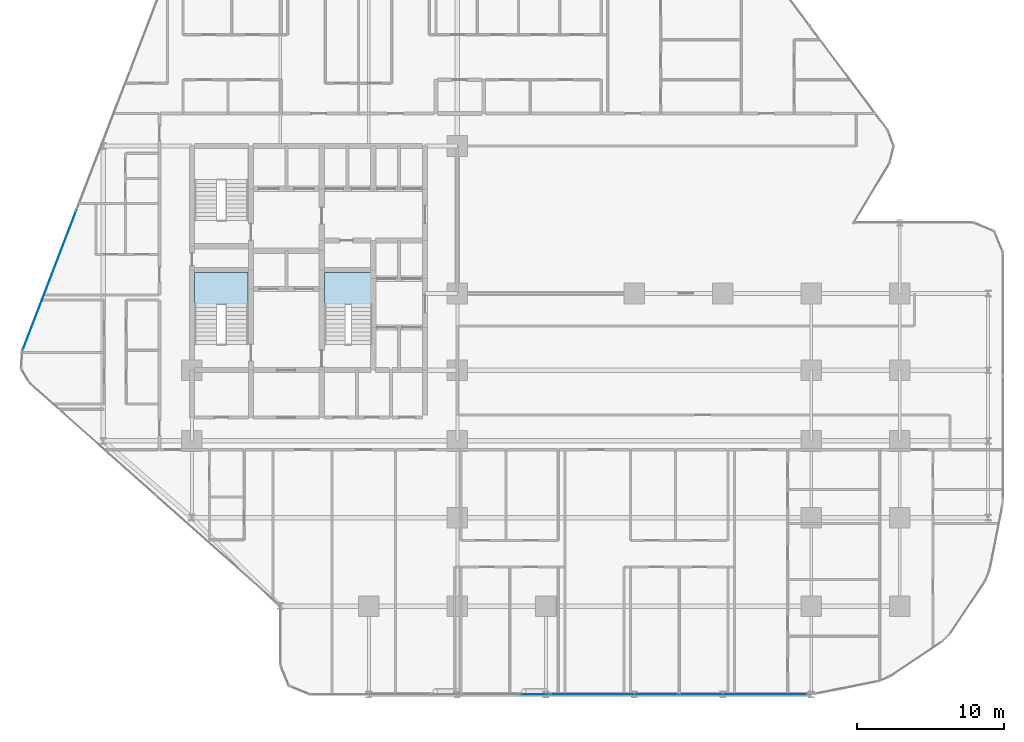
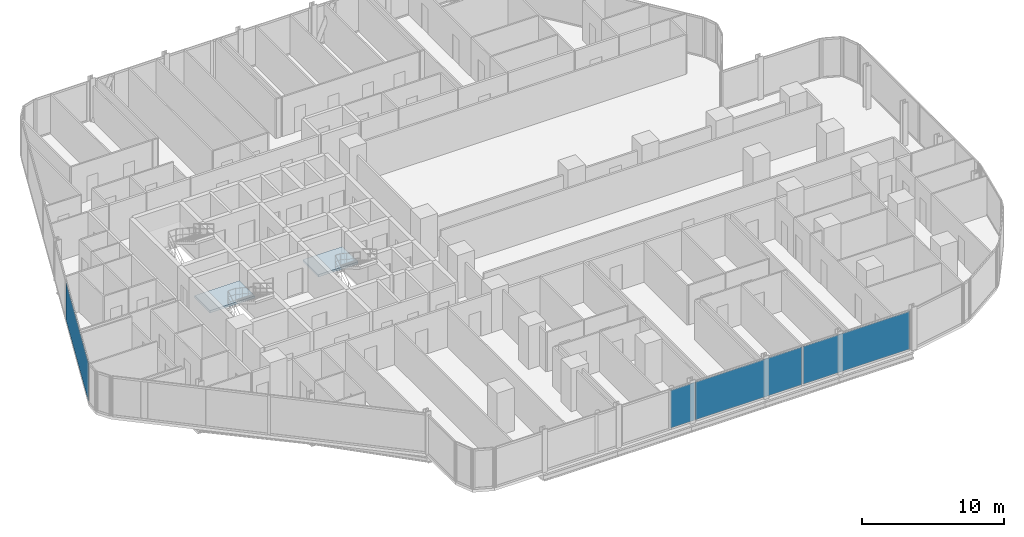
# One storey, part 21 of 33: 4 plates, 2 slabs, 5 elements without a shape of their own.
"""IFC4 building model written with IfcOpenShell, lengths in metres."""

from ifc_helpers import new_model, si_unit, direction, frame, origin, origin_2d, place, context, subcontext, project, spatial, polyline, rectangle, outline, extrude, material, layer, layer_set, type_object, element, aggregate, save


model = new_model("IFC4")

# Units and contexts
model_context = context("Model", 3, precision=1e-05, world=origin(), true_north=direction((0.0, 1.0)))
body_context = subcontext(model_context, "Body", "Model", "MODEL_VIEW")
ifc_project = project(units=[si_unit("LENGTHUNIT", "METRE"), si_unit("AREAUNIT", "SQUARE_METRE"), si_unit("VOLUMEUNIT", "CUBIC_METRE"), si_unit("PLANEANGLEUNIT", "RADIAN"), si_unit("MASSUNIT", "GRAM", prefix="KILO")], contexts=[model_context])

# Site, building, storey
site_placement = place(None, origin())
site = spatial("IfcSite", under=ifc_project, at=site_placement, CompositionType="ELEMENT")
building_placement = place(site_placement, origin())
building = spatial("IfcBuilding", under=site, at=building_placement, Name="Keshet Zoharim Tower", CompositionType="ELEMENT")
storey_placement = place(building_placement, frame((0.0, 0.0, 49.89990234375)))
storey = spatial("IfcBuildingStorey", under=building, at=storey_placement, Name="L11", CompositionType="ELEMENT", Elevation=49.89990234375)

# Curtain wall, plate
ifc_material_1 = material(Name="Aluminium 6063-T6", Category="aluminium")
ifc_layer_1 = layer(ifc_material_1, 0.179931640625)
ifc_layer_set_1 = layer_set([ifc_layer_1], Name="Aluminium 6063-T6")
curtain_wall_type = type_object("IfcCurtainWallType", Name="CW-SYS-01", PredefinedType="NOTDEFINED", material=ifc_layer_set_1)
curtain_wall_1_placement = place(storey_placement, origin())
curtain_wall_1 = element("IfcCurtainWall", 1, at=curtain_wall_1_placement, inside=storey, type_object=curtain_wall_type, Name="L11 Unitised Curtain Wall 04", PredefinedType="NOTDEFINED")
ifc_material_2 = material(Name="Insulated Low-E Clear Glass", Category="glass")
ifc_layer_2 = layer(ifc_material_2, 0.035888671875)
ifc_layer_set_2 = layer_set([ifc_layer_2], Name="Insulated Low-E Clear Glass")
plate_type_1 = type_object("IfcPlateType", Name="CWP-01", PredefinedType="CURTAIN_PANEL", material=ifc_layer_set_2)
plate_1_placement = place(storey_placement, frame((5.33837890625, 28.7802734375, 0.070068359375), z_axis=(0.0, 0.0, 1.0), x_axis=(0.358990003907, 0.933341404361, 0.0)))
plate_1 = element("IfcPlate", 2, at=plate_1_placement, type_object=plate_type_1, Name="CW-01 panel 1.1", PredefinedType="CURTAIN_PANEL", context=body_context, shape_type="SweptSolid", body=[
    extrude(rectangle(XDim=10.1181640625, YDim=0.035888671875, at=origin_2d()), origin(), (0.0, 0.0, 1.0), 3.2451171875),
])
aggregate(curtain_wall_1, [plate_1])

# Curtain wall, plates
curtain_wall_2_placement = place(storey_placement, origin())
curtain_wall_2 = element("IfcCurtainWall", 3, at=curtain_wall_2_placement, inside=storey, type_object=curtain_wall_type, Name="L11 Unitised Curtain Wall 26", PredefinedType="NOTDEFINED")
plate_2_placement = place(storey_placement, frame((52.400390625, 0.699951171875, 0.070068359375), z_axis=(0.0, 0.0, 1.0), x_axis=(-1.0, 0.0, 0.0)))
plate_2 = element("IfcPlate", 4, at=plate_2_placement, type_object=plate_type_1, Name="CW-01 panel 1.1", PredefinedType="CURTAIN_PANEL", context=body_context, shape_type="SweptSolid", body=[
    extrude(rectangle(XDim=8.665283203125, YDim=0.035888671875, at=origin_2d()), origin(), (0.0, 0.0, 1.0), 3.2451171875),
])
plate_3_placement = place(storey_placement, frame((43.665283203125, 0.699951171875, 0.070068359375), z_axis=(0.0, 0.0, 1.0), x_axis=(-1.0, 0.0, 0.0)))
plate_3 = element("IfcPlate", 5, at=plate_3_placement, type_object=plate_type_1, Name="CW-01 panel 2.1", PredefinedType="CURTAIN_PANEL", context=body_context, shape_type="SweptSolid", body=[
    extrude(rectangle(XDim=8.665283203125, YDim=0.035888671875, at=origin_2d()), origin(), (0.0, 0.0, 1.0), 3.2451171875),
])
aggregate(curtain_wall_2, [plate_2, plate_3])

# Curtain wall, plate
curtain_wall_3_placement = place(storey_placement, origin())
curtain_wall_3 = element("IfcCurtainWall", 6, at=curtain_wall_3_placement, inside=storey, type_object=curtain_wall_type, Name="L11 Unitised Curtain Wall 26 Part 2", PredefinedType="NOTDEFINED")
ifc_material_3 = material(Name="Insulated Aluminium Spandrel Panel", Category="aluminium")
ifc_layer_3 = layer(ifc_material_3, 0.035888671875)
ifc_layer_set_3 = layer_set([ifc_layer_3], Name="Insulated Aluminium Spandrel Panel")
plate_type_2 = type_object("IfcPlateType", Name="CWP-04", PredefinedType="CURTAIN_PANEL", material=ifc_layer_set_3)
plate_4_placement = place(storey_placement, frame((38.284912109375, 0.699951171875, 0.070068359375), z_axis=(0.0, 0.0, 1.0), x_axis=(-1.0, 0.0, 0.0)))
plate_4 = element("IfcPlate", 7, at=plate_4_placement, type_object=plate_type_2, Name="CW-01 spandrel panel 1.1", PredefinedType="CURTAIN_PANEL", context=body_context, shape_type="SweptSolid", body=[
    extrude(rectangle(XDim=1.955078125, YDim=0.035888671875, at=origin_2d()), origin(), (0.0, 0.0, 1.0), 3.2451171875),
])
aggregate(curtain_wall_3, [plate_4])

# Stair, slab
ifc_material_4 = material(Name="Concrete C50/60", Category="concrete")
stair_type = type_object("IfcStairType", Name="STR-EXIT-135", PredefinedType="HALF_TURN_STAIR", material=ifc_material_4)
stair_1_placement = place(storey_placement, origin())
stair_1 = element("IfcStair", 8, at=stair_1_placement, inside=storey, type_object=stair_type, Name="L11 Enclosed Exit Stair ST-01", PredefinedType="HALF_TURN_STAIR")
ifc_layer_4 = layer(ifc_material_4, 0.199951171875)
ifc_layer_set_4 = layer_set([ifc_layer_4], Name="Concrete C50/60")
slab_type = type_object("IfcSlabType", Name="SLB-LND-200", PredefinedType="LANDING", material=ifc_layer_set_4)
slab_1_placement = place(storey_placement, frame((0.0, 0.0, 1.650146484375)))
slab_1 = element("IfcSlab", 9, at=slab_1_placement, type_object=slab_type, Name="ST-01 landing 1", PredefinedType="LANDING", context=body_context, shape_type="SweptSolid", body=[
    extrude(outline(polyline([(15.179931640625, 27.159912109375), (18.820068359375, 27.159912109375), (18.820068359375, 29.320068359375), (15.179931640625, 29.320068359375), (15.179931640625, 27.159912109375)])), origin(), (0.0, 0.0, 1.0), 0.199951171875),
])
aggregate(stair_1, [slab_1])

stair_2_placement = place(storey_placement, origin())
stair_2 = element("IfcStair", 10, at=stair_2_placement, inside=storey, type_object=stair_type, Name="L11 Enclosed Exit Stair ST-03", PredefinedType="HALF_TURN_STAIR")
slab_2_placement = place(storey_placement, frame((0.0, 0.0, 1.650146484375)))
slab_2 = element("IfcSlab", 11, at=slab_2_placement, type_object=slab_type, Name="ST-03 landing 1", PredefinedType="LANDING", context=body_context, shape_type="SweptSolid", body=[
    extrude(outline(polyline([(23.97998046875, 27.159912109375), (27.219970703125, 27.159912109375), (27.219970703125, 29.320068359375), (23.97998046875, 29.320068359375), (23.97998046875, 27.159912109375)])), origin(), (0.0, 0.0, 1.0), 0.199951171875),
])
aggregate(stair_2, [slab_2])

save(model, "model.ifc")
